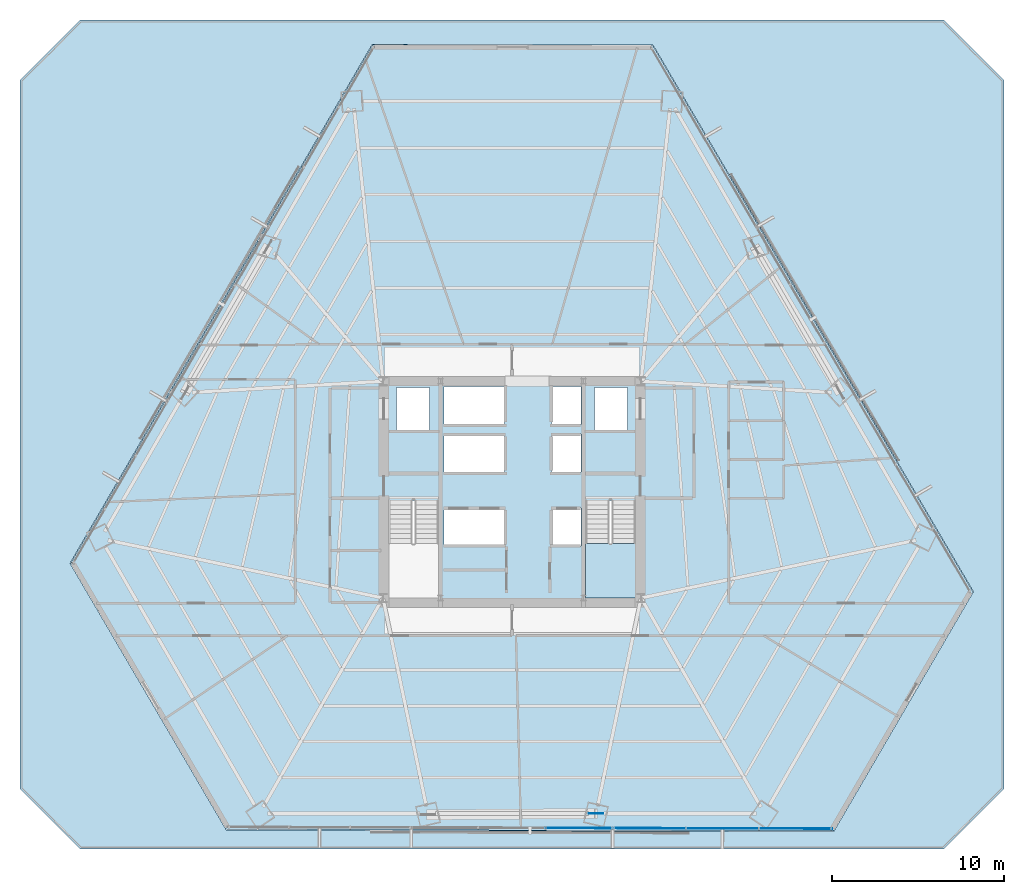
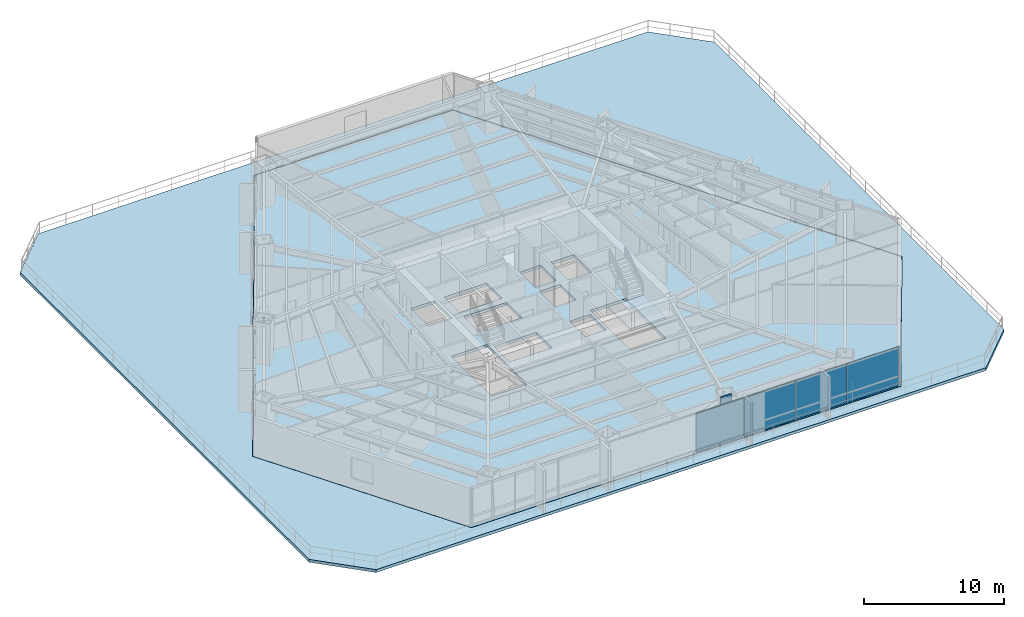
# One storey, part 27 of 35: 5 plates, 3 slabs, 3 elements without a shape of their own.
"""IFC4 building model written with IfcOpenShell, lengths in metres."""

import ifcopenshell
import ifcopenshell.guid

model = None  # the IFC model being written
_history = None  # IfcOwnerHistory: only IFC2X3 demands one
_inside = {}  # id of a spatial element -> (the spatial element, [elements in it])
_under = {}  # id of a project, library or spatial element -> (it, [spatial elements below it])
_declared = {}  # id of a project -> (the project, [libraries it declares])
_typed = {}  # id of a type object -> (the type object, [elements of that type])
_made_of = {}  # id of a material, layer set ... -> (it, [elements and type objects made of it])


def new_model(schema):
    """Start an empty IFC model of exactly this schema.

    Asked for "IFC4X3", IfcOpenShell would pick the latest addendum, in which some entities
    have other attributes; the version numbers below select the first issue.
    IFC2X3 requires an IfcOwnerHistory on every rooted entity: one is made here for all.
    """
    global model, _history
    if schema == "IFC4X3":
        model = ifcopenshell.file(schema_version=(4, 3, 0, 0))
    else:
        model = ifcopenshell.file(schema=schema)
    _inside.clear()
    _under.clear()
    _declared.clear()
    _typed.clear()
    _made_of.clear()
    _history = None
    if model.schema == "IFC2X3":
        org = make("IfcOrganization", Name="unknown")
        user = make(
            "IfcPersonAndOrganization",
            ThePerson=make("IfcPerson", FamilyName="unknown"),
            TheOrganization=org,
        )
        app = make(
            "IfcApplication",
            ApplicationDeveloper=org,
            Version="unknown",
            ApplicationFullName="unknown",
            ApplicationIdentifier="unknown",
        )
        _history = make(
            "IfcOwnerHistory",
            OwningUser=user,
            OwningApplication=app,
            ChangeAction="ADDED",
            CreationDate=0,
        )
    return model


def make(cls, **values):
    """One entity of the class cls with the attributes given. An attribute that is None is left unset."""
    return model.create_entity(
        cls, **{name: value for name, value in values.items() if value is not None}
    )


def rooted(cls, **values):
    """An entity with a GlobalId (a new one), such as an element, a storey or a relation."""
    return make(cls, GlobalId=ifcopenshell.guid.new(), OwnerHistory=_history, **values)


def si_unit(unit_type, name, prefix=None):
    """IfcSIUnit, for example si_unit("LENGTHUNIT", "METRE", prefix="MILLI")."""
    return make("IfcSIUnit", UnitType=unit_type, Prefix=prefix, Name=name)


def assignment(units):
    """IfcUnitAssignment: the units of a project."""
    return None if units is None else make("IfcUnitAssignment", Units=units)


def point(xyz):
    """IfcCartesianPoint."""
    return None if xyz is None else make("IfcCartesianPoint", Coordinates=xyz)


def direction(xyz):
    """IfcDirection."""
    return None if xyz is None else make("IfcDirection", DirectionRatios=xyz)


def frame(location, z_axis=None, x_axis=None):
    """IfcAxis2Placement3D, a coordinate frame: its origin and axes. An axis left out is left unset."""
    return make(
        "IfcAxis2Placement3D",
        Location=point(location),
        Axis=direction(z_axis),
        RefDirection=direction(x_axis),
    )


def frame_2d(location, x_axis=None):
    """IfcAxis2Placement2D, a coordinate frame in the plane: its origin and x axis."""
    return make(
        "IfcAxis2Placement2D", Location=point(location), RefDirection=direction(x_axis)
    )


def origin():
    """The frame at (0, 0, 0) with its axes left unset."""
    return frame((0.0, 0.0, 0.0))


def origin_2d():
    """The frame at (0, 0) in the plane with its x axis left unset."""
    return frame_2d((0.0, 0.0))


def place(relative_to, where):
    """IfcLocalPlacement: puts the frame where relative to a parent placement (None: the world)."""
    return make(
        "IfcLocalPlacement", PlacementRelTo=relative_to, RelativePlacement=where
    )


def context(
    kind, dimensions, precision=None, world=None, true_north=None, identifier=None
):
    """IfcGeometricRepresentationContext, for example the 3D "Model" context."""
    return make(
        "IfcGeometricRepresentationContext",
        ContextIdentifier=identifier,
        ContextType=kind,
        CoordinateSpaceDimension=dimensions,
        Precision=precision,
        WorldCoordinateSystem=world,
        TrueNorth=true_north,
    )


def subcontext(parent, identifier, kind, view, scale=None):
    """IfcGeometricRepresentationSubContext, for example "Body" below "Model"."""
    return make(
        "IfcGeometricRepresentationSubContext",
        ContextIdentifier=identifier,
        ContextType=kind,
        ParentContext=parent,
        TargetScale=scale,
        TargetView=view,
    )


def project(units=None, contexts=None):
    """IfcProject with its units and contexts."""
    return rooted(
        "IfcProject",
        Name="project",
        RepresentationContexts=contexts,
        UnitsInContext=assignment(units),
    )


def spatial(cls, under=None, at=None, **own):
    """A site, building, storey or space (cls), placed at a placement, below another one or the project."""
    s = rooted(cls, ObjectPlacement=at, **own)
    if under is not None:
        _under.setdefault(under.id(), (under, []))[1].append(s)
    return s


def polyline(points):
    """IfcPolyline through the points."""
    return make("IfcPolyline", Points=[point(p) for p in points])


def profile(cls, at=None, kind="AREA", **sizes):
    """A parametric profile (cls). Its sizes go by their IFC names, for example OverallWidth=200.0."""
    return make(cls, ProfileType=kind, Position=at, **sizes)


def rectangle(**sizes):
    """IfcRectangleProfileDef."""
    return profile("IfcRectangleProfileDef", **sizes)


def outline(outer, holes=None, kind="AREA"):
    """IfcArbitraryClosedProfileDef: a profile drawn as a closed curve; with holes, ...WithVoids."""
    if holes is None:
        return make("IfcArbitraryClosedProfileDef", ProfileType=kind, OuterCurve=outer)
    return make(
        "IfcArbitraryProfileDefWithVoids",
        ProfileType=kind,
        OuterCurve=outer,
        InnerCurves=holes,
    )


def extrude(swept, where, along, depth):
    """IfcExtrudedAreaSolid: the profile swept, set in the frame where, extruded along a direction by depth."""
    return make(
        "IfcExtrudedAreaSolid",
        SweptArea=swept,
        Position=where,
        ExtrudedDirection=direction(along),
        Depth=depth,
    )


def shape(context_of_items, identifier, shape_type, items):
    """IfcShapeRepresentation: the items that make up one representation, for example the "Body"."""
    return make(
        "IfcShapeRepresentation",
        ContextOfItems=context_of_items,
        RepresentationIdentifier=identifier,
        RepresentationType=shape_type,
        Items=items,
    )


def source(mapping_origin, context_of_items, identifier, shape_type, items):
    """IfcRepresentationMap: a shape defined once, which mapped items show again and again."""
    return make(
        "IfcRepresentationMap",
        MappingOrigin=mapping_origin,
        MappedRepresentation=shape(context_of_items, identifier, shape_type, items),
    )


def transform(
    local_origin,
    x_axis=None,
    y_axis=None,
    z_axis=None,
    scale=None,
    scale2=None,
    scale3=None,
    uniform=True,
):
    """IfcCartesianTransformationOperator3D, or its non-uniform kind. x_axis, y_axis, z_axis: its Axis1, 2, 3."""
    if uniform:
        return make(
            "IfcCartesianTransformationOperator3D",
            Axis1=direction(x_axis),
            Axis2=direction(y_axis),
            LocalOrigin=point(local_origin),
            Scale=scale,
            Axis3=direction(z_axis),
        )
    return make(
        "IfcCartesianTransformationOperator3DnonUniform",
        Axis1=direction(x_axis),
        Axis2=direction(y_axis),
        LocalOrigin=point(local_origin),
        Scale=scale,
        Axis3=direction(z_axis),
        Scale2=scale2,
        Scale3=scale3,
    )


def mapped(mapping_source, mapping_target):
    """IfcMappedItem: shows the shape of a source again, moved by a transform."""
    return make(
        "IfcMappedItem", MappingSource=mapping_source, MappingTarget=mapping_target
    )


def material(Name=None, Category=None):
    """IfcMaterial."""
    return make("IfcMaterial", Name=Name, Category=Category)


def layer(
    of_material, thickness, ventilated=None, Name=None, Category=None, Priority=None
):
    """IfcMaterialLayer: one layer of a wall or slab, of a material (None: an air gap)."""
    return make(
        "IfcMaterialLayer",
        Material=of_material,
        LayerThickness=thickness,
        IsVentilated=ventilated,
        Name=Name,
        Category=Category,
        Priority=Priority,
    )


def layer_set(layers, Name=None):
    """IfcMaterialLayerSet."""
    return make("IfcMaterialLayerSet", MaterialLayers=layers, LayerSetName=Name)


def made_of(thing, what):
    """Note that an element or type object is made of a material, layer set ...; save() writes the relation."""
    if what is not None:
        _made_of.setdefault(what.id(), (what, []))[1].append(thing)
    return thing


def type_object(cls, material=None, **own):
    """A type object (cls), such as IfcWallType, which elements share."""
    return made_of(rooted(cls, **own), material)


def type_shapes(of_type, sources):
    """Give a type object the sources (RepresentationMaps) that its elements show as mapped items."""
    of_type.RepresentationMaps = sources


def element(
    cls,
    number,
    at=None,
    inside=None,
    cuts=None,
    type_object=None,
    material=None,
    context=None,
    identifier="Body",
    shape_type=None,
    held_by="IfcProductDefinitionShape",
    body=None,
    shapes=None,
    **own,
):
    """One element of the class cls, such as IfcWall. Its Tag is "e" and its number.

    at: its placement. inside: the storey or other place that contains it. cuts: it is an
    opening in that element (IfcRelVoidsElement). A single representation is given by context,
    identifier, shape_type and body (its items); several are given by shapes. held_by: the class
    of the entity that holds the representations. save() writes the other relations.
    """
    e = rooted(cls, Tag="e%d" % number, ObjectPlacement=at, **own)
    if body is not None:
        shapes = [shape(context, identifier, shape_type, body)]
    if shapes is not None:
        e.Representation = make(held_by, Representations=shapes)
    if inside is not None:
        _inside.setdefault(inside.id(), (inside, []))[1].append(e)
    if cuts is not None:
        rooted(
            "IfcRelVoidsElement", RelatingBuildingElement=cuts, RelatedOpeningElement=e
        )
    if type_object is not None:
        _typed.setdefault(type_object.id(), (type_object, []))[1].append(e)
    return made_of(e, material)


def aggregate(whole, parts):
    """IfcRelAggregates: a whole, such as a stair, and the parts it consists of."""
    return rooted("IfcRelAggregates", RelatingObject=whole, RelatedObjects=parts)


def save(model, path):
    """Write the relations noted so far, then the file.

    IfcRelAggregates (storeys below a building ...), IfcRelContainedInSpatialStructure (elements
    in a storey), IfcRelDefinesByType, IfcRelAssociatesMaterial and IfcRelDeclares: one each for
    every whole, place, type object, material and project.
    """
    for whole, parts in _under.values():
        aggregate(whole, parts)
    for where, things in _inside.values():
        rooted(
            "IfcRelContainedInSpatialStructure",
            RelatedElements=things,
            RelatingStructure=where,
        )
    for kind, things in _typed.values():
        rooted("IfcRelDefinesByType", RelatedObjects=things, RelatingType=kind)
    for what, things in _made_of.values():
        rooted("IfcRelAssociatesMaterial", RelatedObjects=things, RelatingMaterial=what)
    for by, libraries in _declared.values():
        rooted("IfcRelDeclares", RelatingContext=by, RelatedDefinitions=libraries)
    model.write(path)


model = new_model("IFC4")

# Units and contexts
model_context = context("Model", 3, precision=1e-05, world=origin(), true_north=direction((0.0, 1.0)))
body_context = subcontext(model_context, "Body", "Model", "MODEL_VIEW")
ifc_project = project(units=[si_unit("LENGTHUNIT", "METRE"), si_unit("AREAUNIT", "SQUARE_METRE"), si_unit("VOLUMEUNIT", "CUBIC_METRE"), si_unit("PLANEANGLEUNIT", "RADIAN"), si_unit("MASSUNIT", "GRAM", prefix="KILO")], contexts=[model_context])

# Site, building, storey
site_placement = place(None, origin())
site = spatial("IfcSite", under=ifc_project, at=site_placement, CompositionType="ELEMENT")
building_placement = place(site_placement, origin())
building = spatial("IfcBuilding", under=site, at=building_placement, Name="Caelisora Broadcast Tower", CompositionType="ELEMENT")
storey_placement = place(building_placement, frame((0.0, 0.0, 27.60009765625)))
storey = spatial("IfcBuildingStorey", under=building, at=storey_placement, Name="L06", CompositionType="ELEMENT", Elevation=27.60009765625)

# Slab
ifc_material_1 = material(Name="Concrete 40 MPa (AS 3600 N40)", Category="concrete")
ifc_layer_1 = layer(ifc_material_1, 0.25, Name="Concrete 40 MPa (AS 3600 N40)")
ifc_layer_set_1 = layer_set([ifc_layer_1], Name="Concrete 40 MPa (AS 3600 N40)")
slab_type_1 = type_object("IfcSlabType", Name="SL04", PredefinedType="FLOOR", material=ifc_layer_set_1)
slab_1_placement = place(storey_placement, frame((0.0, 0.0, -0.25)))
element("IfcSlab", 1, at=slab_1_placement, inside=storey, type_object=slab_type_1, Name="L06 suspended floor SL04", PredefinedType="FLOOR", context=body_context, shape_type="SweptSolid", body=[
    extrude(outline(polyline([(46.18798828125, 49.52197265625), (64.798095703125, 17.76806640625), (56.68994140625, 3.844970703125), (21.40087890625, 3.94189453125), (12.33203125, 19.41796875), (29.889892578125, 49.56689453125), (46.18798828125, 49.52197265625)]), holes=[polyline([(30.820068359375, 17.39990234375), (33.739990234375, 17.39990234375), (33.739990234375, 23.080078125), (30.820068359375, 23.080078125), (30.820068359375, 17.39990234375)]), polyline([(42.260009765625, 17.39990234375), (45.179931640625, 17.39990234375), (45.179931640625, 23.080078125), (42.260009765625, 23.080078125), (42.260009765625, 17.39990234375)]), polyline([(42.800048828125, 27.14990234375), (44.699951171875, 27.14990234375), (44.699951171875, 29.64990234375), (42.800048828125, 29.64990234375), (42.800048828125, 27.14990234375)]), polyline([(40.300048828125, 20.429931640625), (42.0, 20.429931640625), (42.0, 22.6298828125), (40.300048828125, 22.6298828125), (40.300048828125, 20.429931640625)]), polyline([(40.300048828125, 24.719970703125), (42.0, 24.719970703125), (42.0, 26.919921875), (40.300048828125, 26.919921875), (40.300048828125, 24.719970703125)]), polyline([(40.300048828125, 27.5), (42.0, 27.5), (42.0, 29.699951171875), (40.300048828125, 29.699951171875), (40.300048828125, 27.5)]), polyline([(34.050048828125, 20.429931640625), (37.550048828125, 20.429931640625), (37.550048828125, 22.6298828125), (34.050048828125, 22.6298828125), (34.050048828125, 20.429931640625)]), polyline([(34.050048828125, 24.719970703125), (37.550048828125, 24.719970703125), (37.550048828125, 26.919921875), (34.050048828125, 26.919921875), (34.050048828125, 24.719970703125)]), polyline([(34.050048828125, 27.5), (37.550048828125, 27.5), (37.550048828125, 29.699951171875), (34.050048828125, 29.699951171875), (34.050048828125, 27.5)]), polyline([(31.300048828125, 27.14990234375), (33.199951171875, 27.14990234375), (33.199951171875, 29.64990234375), (31.300048828125, 29.64990234375), (31.300048828125, 27.14990234375)])]), origin(), (0.0, 0.0, 1.0), 0.25),
])

# Stair, slab
stair_type = type_object("IfcStairType", Name="ST-2", PredefinedType="HALF_TURN_STAIR", material=ifc_material_1)
stair_placement = place(storey_placement, origin())
stair = element("IfcStair", 2, at=stair_placement, inside=storey, type_object=stair_type, Name="L06 East Fire-Isolated Tower Stair", PredefinedType="HALF_TURN_STAIR")
ifc_layer_2 = layer(ifc_material_1, 0.199951171875, Name="Concrete 40 MPa (AS 3600 N40)")
ifc_layer_set_2 = layer_set([ifc_layer_2], Name="Concrete 40 MPa (AS 3600 N40)")
slab_type_2 = type_object("IfcSlabType", Name="STL-1", PredefinedType="LANDING", material=ifc_layer_set_2)
slab_2_placement = place(storey_placement, frame((0.0, 0.0, 1.625)))
slab_2 = element("IfcSlab", 3, at=slab_2_placement, type_object=slab_type_2, Name="ST-2 landing 1", PredefinedType="LANDING", context=body_context, shape_type="SweptSolid", body=[
    extrude(outline(polyline([(42.260009765625, 20.580078125), (42.260009765625, 17.39990234375), (45.179931640625, 17.39990234375), (45.179931640625, 20.580078125), (42.260009765625, 20.580078125)])), origin(), (0.0, 0.0, 1.0), 0.199951171875),
])
aggregate(stair, [slab_2])

# Slab
ifc_layer_3 = layer(ifc_material_1, 0.25, Name="Concrete 40 MPa (AS 3600 N40)")
ifc_layer_set_3 = layer_set([ifc_layer_3], Name="Concrete 40 MPa (AS 3600 N40)")
slab_type_3 = type_object("IfcSlabType", Name="TR01", PredefinedType="FLOOR", material=ifc_layer_set_3)
slab_3_placement = place(storey_placement, frame((0.0, 0.0, -0.25)))
element("IfcSlab", 4, at=slab_3_placement, inside=storey, type_object=slab_type_3, Name="L06 outdoor terrace slab TR01", PredefinedType="FLOOR", context=body_context, shape_type="SweptSolid", body=[
    extrude(outline(polyline([(9.39990234375, 6.300048828125), (9.39990234375, 47.5), (12.89990234375, 51.0), (63.10009765625, 51.0), (66.60009765625, 47.5), (66.60009765625, 6.300048828125), (63.10009765625, 2.800048828125), (12.89990234375, 2.800048828125), (9.39990234375, 6.300048828125)]), holes=[polyline([(29.8779296875, 49.5869140625), (12.30810546875, 19.41796875), (21.388916015625, 3.922119140625), (56.701904296875, 3.824951171875), (64.822021484375, 17.76806640625), (46.199951171875, 49.5419921875), (29.8779296875, 49.5869140625)])]), origin(), (0.0, 0.0, 1.0), 0.25),
])

# Plate
ifc_material_2 = material(Name="Steel Grade 350 L15 (AS/NZS 3678)", Category="steel")
ifc_layer_4 = layer(ifc_material_2, 0.050048828125, Name="Steel Grade 350 L15 (AS/NZS 3678)")
ifc_layer_set_4 = layer_set([ifc_layer_4], Name="Steel Grade 350 L15 (AS/NZS 3678)")
plate_type_1 = type_object("IfcPlateType", Name="GP03", PredefinedType="USERDEFINED", material=ifc_layer_set_4)
shared_shape_1 = source(origin(), body_context, "Body", "SweptSolid", [
    extrude(rectangle(XDim=0.85009765625, YDim=0.050048828125, at=origin_2d()), origin(), (0.0, 0.0, 1.0), 0.699951171875),
])
type_shapes(plate_type_1, [shared_shape_1])
plate_1_placement = place(storey_placement, frame((42.893798828125, 4.872314453125, 2.72998046875), z_axis=(0.0, 0.0, 1.0), x_axis=(1.0, 0.0, 0.0)))
element("IfcPlate", 5, at=plate_1_placement, inside=storey, type_object=plate_type_1, Name="L06 gusset plate GP03 (ND-L06-C07T)", ObjectType="GUSSET PLATE", PredefinedType="USERDEFINED", context=body_context, shape_type="MappedRepresentation", body=[
    mapped(shared_shape_1, transform((0.0, 0.0, 0.0), scale=1.0)),
])

# Curtain wall, plate
ifc_material_3 = material(Name="Unitised Aluminium Insulated Shadow-Box Spandrel Curtain Wall", Category="aluminium")
curtain_wall_type_1 = type_object("IfcCurtainWallType", Name="CW-SP1", PredefinedType="NOTDEFINED", material=ifc_material_3)
curtain_wall_1_placement = place(storey_placement, origin())
curtain_wall_1 = element("IfcCurtainWall", 6, at=curtain_wall_1_placement, inside=storey, type_object=curtain_wall_type_1, Name="L06 curtain wall CW-SP1", PredefinedType="NOTDEFINED")
ifc_material_4 = material(Name="Insulated Terracotta Shadow-Box Spandrel Panel", Category="aluminium")
ifc_layer_5 = layer(ifc_material_4, 0.0439453125, Name="Insulated Terracotta Shadow-Box Spandrel Panel")
ifc_layer_set_5 = layer_set([ifc_layer_5], Name="Insulated Terracotta Shadow-Box Spandrel Panel")
plate_type_2 = type_object("IfcPlateType", Name="CWP-10", PredefinedType="CURTAIN_PANEL", material=ifc_layer_set_5)
shared_shape_2 = source(origin(), body_context, "Body", "SweptSolid", [
    extrude(rectangle(XDim=3.898193359375, YDim=0.0439453125, at=origin_2d()), origin(), (0.0, 0.0, 1.0), 3.39990234375),
])
type_shapes(plate_type_2, [shared_shape_2])
plate_2_placement = place(storey_placement, frame((41.896240234375, 4.02587890625, 0.0), z_axis=(0.0, 0.0, 1.0), x_axis=(-0.999996573056, 0.002617990887, 0.0)))
plate_2 = element("IfcPlate", 7, at=plate_2_placement, type_object=plate_type_2, Name="L06-CW-B06 spandrel panel #1", PredefinedType="CURTAIN_PANEL", context=body_context, shape_type="MappedRepresentation", body=[
    mapped(shared_shape_2, transform((0.0, 0.0, 0.0), scale=1.0)),
])
aggregate(curtain_wall_1, [plate_2])

# Curtain wall, plates
ifc_material_5 = material(Name="Unitised Aluminium and Low-E Glass Curtain Wall", Category="glass")
curtain_wall_type_2 = type_object("IfcCurtainWallType", Name="CW-Z1", PredefinedType="NOTDEFINED", material=ifc_material_5)
curtain_wall_2_placement = place(storey_placement, origin())
curtain_wall_2 = element("IfcCurtainWall", 8, at=curtain_wall_2_placement, inside=storey, type_object=curtain_wall_type_2, Name="L06 curtain wall CW-Z1", PredefinedType="NOTDEFINED")
ifc_material_6 = material(Name="Double Glazed Low-E Argon IGU", Category="glass")
ifc_layer_6 = layer(ifc_material_6, 0.035888671875, Name="Double Glazed Low-E Argon IGU")
ifc_layer_set_6 = layer_set([ifc_layer_6], Name="Double Glazed Low-E Argon IGU")
plate_type_3 = type_object("IfcPlateType", Name="CWP-02", PredefinedType="CURTAIN_PANEL", material=ifc_layer_set_6)
shared_shape_3 = source(origin(), body_context, "Body", "SweptSolid", [
    extrude(rectangle(XDim=4.251708984375, YDim=0.035888671875, at=origin_2d()), origin(), (0.0, 0.0, 1.0), 3.39990234375),
])
type_shapes(plate_type_3, [shared_shape_3])
plate_3_placement = place(storey_placement, frame((54.484130859375, 3.99169921875, 0.0), z_axis=(0.0, 0.0, 1.0), x_axis=(-0.999996573056, 0.002617990887, 0.0)))
plate_3 = element("IfcPlate", 9, at=plate_3_placement, type_object=plate_type_3, Name="L06-CW-B05 glazed panel #1", PredefinedType="CURTAIN_PANEL", context=body_context, shape_type="MappedRepresentation", body=[
    mapped(shared_shape_3, transform((0.0, 0.0, 0.0), scale=1.0)),
])
plate_4_placement = place(storey_placement, frame((50.232666015625, 4.003173828125, 0.0), z_axis=(0.0, 0.0, 1.0), x_axis=(-0.999996573056, 0.002617990887, 0.0)))
plate_4 = element("IfcPlate", 10, at=plate_4_placement, type_object=plate_type_3, Name="L06-CW-B05 glazed panel #2", PredefinedType="CURTAIN_PANEL", context=body_context, shape_type="MappedRepresentation", body=[
    mapped(shared_shape_3, transform((0.0, 0.0, 0.0), scale=1.0)),
])
plate_5_placement = place(storey_placement, frame((45.981201171875, 4.0146484375, 0.0), z_axis=(0.0, 0.0, 1.0), x_axis=(-0.999996573056, 0.002617990887, 0.0)))
plate_5 = element("IfcPlate", 11, at=plate_5_placement, type_object=plate_type_3, Name="L06-CW-B05 glazed panel #3", PredefinedType="CURTAIN_PANEL", context=body_context, shape_type="MappedRepresentation", body=[
    mapped(shared_shape_3, transform((0.0, 0.0, 0.0), scale=1.0)),
])
aggregate(curtain_wall_2, [plate_3, plate_4, plate_5])

save(model, "model.ifc")
